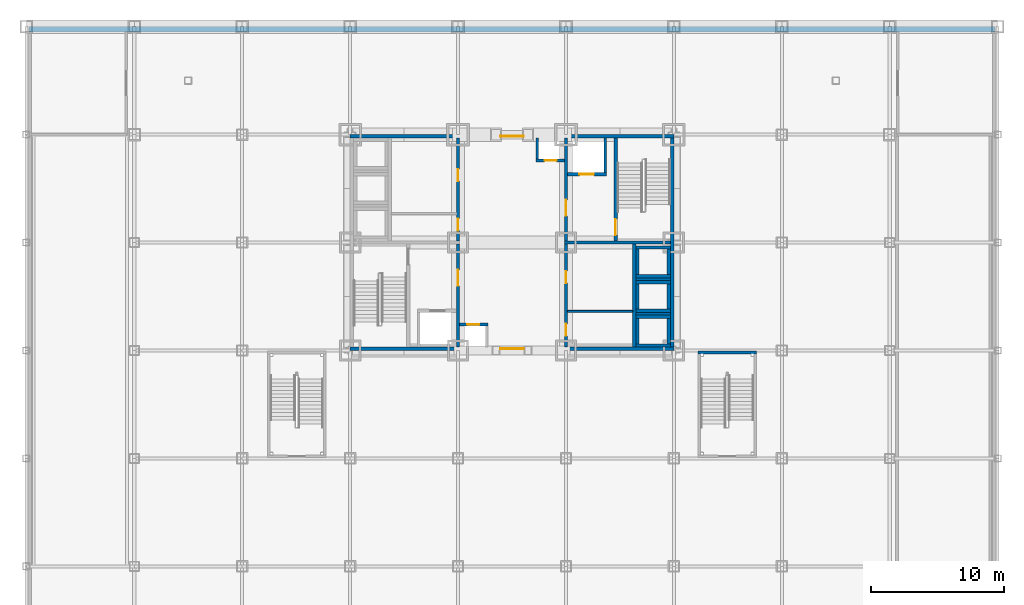
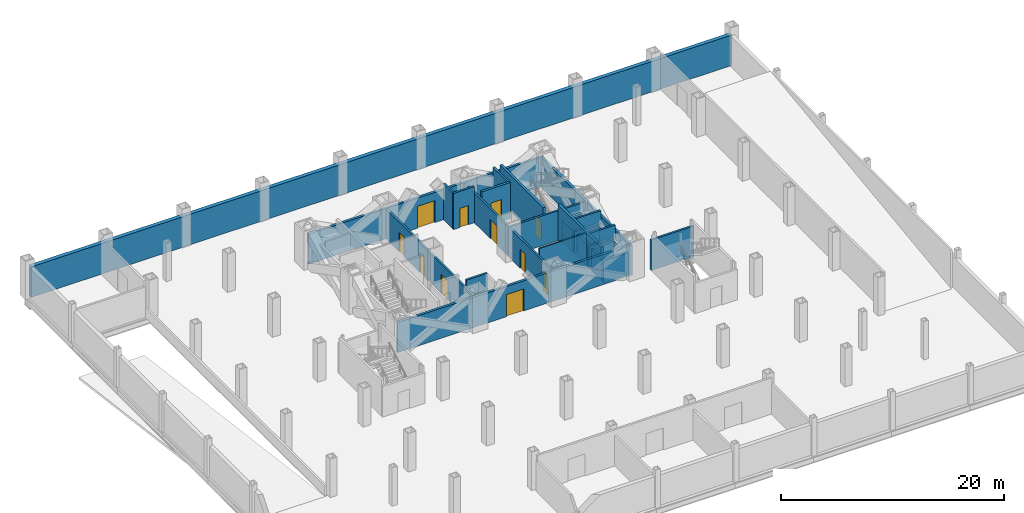
# One storey, part 12 of 14: 32 walls, 12 doors, 12 openings.
"""IFC4 building model written with IfcOpenShell, lengths in metres."""

from ifc_helpers import new_model, si_unit, direction, frame, frame_2d, origin, place, context, subcontext, project, spatial, rectangle, extrude, material, layer, layer_set, type_object, element, fill, save


model = new_model("IFC4")

# Units and contexts
model_context = context("Model", 3, precision=1e-05, world=origin(), true_north=direction((0.0, 1.0)))
body_context = subcontext(model_context, "Body", "Model", "MODEL_VIEW")
ifc_project = project(units=[si_unit("LENGTHUNIT", "METRE"), si_unit("AREAUNIT", "SQUARE_METRE"), si_unit("VOLUMEUNIT", "CUBIC_METRE"), si_unit("PLANEANGLEUNIT", "RADIAN"), si_unit("MASSUNIT", "GRAM", prefix="KILO")], contexts=[model_context])

# Site, building, storey
site_placement = place(None, origin())
site = spatial("IfcSite", under=ifc_project, at=site_placement, CompositionType="ELEMENT")
building_placement = place(site_placement, origin())
building = spatial("IfcBuilding", under=site, at=building_placement, Name="Kopane Lantern Tower", CompositionType="ELEMENT")
storey_placement = place(building_placement, frame((0.0, 0.0, -4.199951171875)))
storey = spatial("IfcBuildingStorey", under=building, at=storey_placement, Name="L-01", CompositionType="ELEMENT", Elevation=-4.199951171875)

# Walls
ifc_material_1 = material(Name="Concrete C40/50", Category="concrete")
ifc_layer_1 = layer(ifc_material_1, 0.39990234375)
ifc_layer_set_1 = layer_set([ifc_layer_1], Name="BASEMENT RETAINING WALL 400")
wall_type_1 = type_object("IfcWallType", Name="BASEMENT RETAINING WALL 400", PredefinedType="SOLIDWALL", material=ifc_layer_set_1)
wall_1_placement = place(storey_placement, frame((64.60009765625, 48.39990234375, 0.0), z_axis=(0.0, 0.0, 1.0), x_axis=(-1.0, 0.0, 0.0)))
element("IfcWall", 1, at=wall_1_placement, inside=storey, type_object=wall_type_1, Name="Basement Retaining Wall 400 L-01", PredefinedType="SOLIDWALL", context=body_context, shape_type="SweptSolid", body=[
    extrude(rectangle(XDim=72.5, YDim=0.39990234375, at=frame_2d((36.25, 0.0))), origin(), (0.0, 0.0, 1.0), 3.337646484375),
])
ifc_material_2 = material(Name="Gypsum partition EI 60", Category="gypsum")
ifc_layer_2 = layer(ifc_material_2, 0.14990234375)
ifc_layer_set_2 = layer_set([ifc_layer_2], Name="CORE ROOM PARTITION 150 EI 60")
wall_type_2 = type_object("IfcWallType", Name="CORE ROOM PARTITION 150 EI 60", PredefinedType="PARTITIONING", material=ifc_layer_set_2)
wall_2_placement = place(storey_placement, frame((32.5, 27.22509765625, 0.0), z_axis=(0.0, 0.0, 1.0), x_axis=(1.0, 0.0, 0.0)))
element("IfcWall", 2, at=wall_2_placement, inside=storey, type_object=wall_type_2, Name="Core room partition L-01 E1", PredefinedType="PARTITIONING", context=body_context, shape_type="SweptSolid", body=[
    extrude(rectangle(XDim=4.89990234375, YDim=0.14990234375, at=frame_2d((2.449951171875, 0.0))), origin(), (0.0, 0.0, 1.0), 3.949951171875),
])

# Wall, openings, doors
ifc_material_3 = material(Name="Gypsum partition EI 60", Category="gypsum")
ifc_layer_3 = layer(ifc_material_3, 0.199951171875)
ifc_layer_set_3 = layer_set([ifc_layer_3], Name="CORE ROOM WALL 200 EI 60")
wall_type_3 = type_object("IfcWallType", Name="CORE ROOM WALL 200 EI 60", PredefinedType="PARTITIONING", material=ifc_layer_set_3)
wall_3_placement = place(storey_placement, frame((24.300048828125, 32.5, 0.0), z_axis=(0.0, 0.0, 1.0), x_axis=(0.0, 1.0, 0.0)))
wall_3 = element("IfcWall", 3, at=wall_3_placement, inside=storey, type_object=wall_type_3, Name="Core room wall L-01 XW", PredefinedType="PARTITIONING", context=body_context, shape_type="SweptSolid", body=[
    extrude(rectangle(XDim=7.75, YDim=0.199951171875, at=frame_2d((3.875, 0.0))), origin(), (0.0, 0.0, 1.0), 3.25),
])
opening_1_placement = place(wall_3_placement, frame((0.800048828125, 0.0, 0.0)))
opening_1 = element("IfcOpeningElement", 4, at=opening_1_placement, cuts=wall_3, Name="Opening L-01.C30", PredefinedType="OPENING", context=body_context, shape_type="SweptSolid", body=[
    extrude(rectangle(XDim=0.89990234375, YDim=2.10009765625, at=frame_2d((0.449951171875, 1.050048828125))), frame((0.0, 0.10986328125, 0.0), z_axis=(0.0, -1.0, 0.0), x_axis=(1.0, 0.0, 0.0)), (0.0, 0.0, 1.0), 0.219970703125),
])
opening_2_placement = place(wall_3_placement, frame((4.5, 0.0, 0.0)))
opening_2 = element("IfcOpeningElement", 5, at=opening_2_placement, cuts=wall_3, Name="Opening L-01.C31", PredefinedType="OPENING", context=body_context, shape_type="SweptSolid", body=[
    extrude(rectangle(XDim=0.89990234375, YDim=2.10009765625, at=frame_2d((0.449951171875, 1.050048828125))), frame((0.0, 0.10986328125, 0.0), z_axis=(0.0, -1.0, 0.0), x_axis=(1.0, 0.0, 0.0)), (0.0, 0.0, 1.0), 0.219970703125),
])
ifc_material_4 = material(Name="Steel door set", Category="steel")
door_type_1 = type_object("IfcDoorType", Name="CORE ROOM DOOR 900x2100 FD60", OperationType="SINGLE_SWING_LEFT", PredefinedType="DOOR", material=ifc_material_4)
door_1_placement = place(opening_1_placement, origin())
door_1 = element("IfcDoor", 6, at=door_1_placement, inside=storey, type_object=door_type_1, Name="Door Cleaner store L-01", OperationType="SINGLE_SWING_RIGHT", OverallHeight=2.10009765625, OverallWidth=0.89990234375, PredefinedType="DOOR", context=body_context, shape_type="SweptSolid", body=[
    extrude(rectangle(XDim=0.89990234375, YDim=2.10009765625, at=frame_2d((0.449951171875, 1.050048828125))), frame((0.0, 0.02490234375, 0.0), z_axis=(0.0, -1.0, 0.0), x_axis=(1.0, 0.0, 0.0)), (0.0, 0.0, 1.0), 0.050048828125),
])
fill(opening_1, door_1)
door_2_placement = place(opening_2_placement, origin())
door_2 = element("IfcDoor", 7, at=door_2_placement, inside=storey, type_object=door_type_1, Name="Door Basement store L-01", OperationType="SINGLE_SWING_LEFT", OverallHeight=2.10009765625, OverallWidth=0.89990234375, PredefinedType="DOOR", context=body_context, shape_type="SweptSolid", body=[
    extrude(rectangle(XDim=0.89990234375, YDim=2.10009765625, at=frame_2d((0.449951171875, 1.050048828125))), frame((0.0, 0.02490234375, 0.0), z_axis=(0.0, -1.0, 0.0), x_axis=(1.0, 0.0, 0.0)), (0.0, 0.0, 1.0), 0.050048828125),
])
fill(opening_2, door_2)

wall_4_placement = place(storey_placement, frame((32.39990234375, 24.550048828125, 0.0), z_axis=(0.0, 0.0, 1.0), x_axis=(0.0, 1.0, 0.0)))
wall_4 = element("IfcWall", 8, at=wall_4_placement, inside=storey, type_object=wall_type_3, Name="Core room wall L-01 XE", PredefinedType="PARTITIONING", context=body_context, shape_type="SweptSolid", body=[
    extrude(rectangle(XDim=7.75, YDim=0.199951171875, at=frame_2d((3.875, 0.0))), origin(), (0.0, 0.0, 1.0), 3.25),
])
opening_3_placement = place(wall_4_placement, frame((0.85009765625, 0.0, 0.0)))
opening_3 = element("IfcOpeningElement", 9, at=opening_3_placement, cuts=wall_4, Name="Opening L-01.C20", PredefinedType="OPENING", context=body_context, shape_type="SweptSolid", body=[
    extrude(rectangle(XDim=0.89990234375, YDim=2.10009765625, at=frame_2d((0.449951171875, 1.050048828125))), frame((0.0, 0.10986328125, 0.0), z_axis=(0.0, -1.0, 0.0), x_axis=(1.0, 0.0, 0.0)), (0.0, 0.0, 1.0), 0.219970703125),
])
opening_4_placement = place(wall_4_placement, frame((4.800048828125, 0.0, 0.0)))
opening_4 = element("IfcOpeningElement", 10, at=opening_4_placement, cuts=wall_4, Name="Opening L-01.C21", PredefinedType="OPENING", context=body_context, shape_type="SweptSolid", body=[
    extrude(rectangle(XDim=0.89990234375, YDim=2.10009765625, at=frame_2d((0.449951171875, 1.050048828125))), frame((0.0, 0.10986328125, 0.0), z_axis=(0.0, -1.0, 0.0), x_axis=(1.0, 0.0, 0.0)), (0.0, 0.0, 1.0), 0.219970703125),
])
door_3_placement = place(opening_3_placement, origin())
door_3 = element("IfcDoor", 11, at=door_3_placement, inside=storey, type_object=door_type_1, Name="Door Water meter room L-01", OperationType="SINGLE_SWING_LEFT", OverallHeight=2.10009765625, OverallWidth=0.89990234375, PredefinedType="DOOR", context=body_context, shape_type="SweptSolid", body=[
    extrude(rectangle(XDim=0.89990234375, YDim=2.10009765625, at=frame_2d((0.449951171875, 1.050048828125))), frame((0.0, 0.02490234375, 0.0), z_axis=(0.0, -1.0, 0.0), x_axis=(1.0, 0.0, 0.0)), (0.0, 0.0, 1.0), 0.050048828125),
])
fill(opening_3, door_3)
door_4_placement = place(opening_4_placement, origin())
door_4 = element("IfcDoor", 12, at=door_4_placement, inside=storey, type_object=door_type_1, Name="Door Security store L-01", OperationType="SINGLE_SWING_LEFT", OverallHeight=2.10009765625, OverallWidth=0.89990234375, PredefinedType="DOOR", context=body_context, shape_type="SweptSolid", body=[
    extrude(rectangle(XDim=0.89990234375, YDim=2.10009765625, at=frame_2d((0.449951171875, 1.050048828125))), frame((0.0, 0.02490234375, 0.0), z_axis=(0.0, -1.0, 0.0), x_axis=(1.0, 0.0, 0.0)), (0.0, 0.0, 1.0), 0.050048828125),
])
fill(opening_4, door_4)

# Wall, opening, door
ifc_material_5 = material(Name="Gypsum shaft wall EI 120", Category="gypsum")
ifc_layer_4 = layer(ifc_material_5, 0.25)
ifc_layer_set_4 = layer_set([ifc_layer_4], Name="CORE SHAFT WALL 250 EI 120")
wall_type_4 = type_object("IfcWallType", Name="CORE SHAFT WALL 250 EI 120", PredefinedType="SOLIDWALL", material=ifc_layer_set_4)
wall_5_placement = place(storey_placement, frame((16.199951171875, 24.425048828125, 0.0), z_axis=(0.0, 0.0, 1.0), x_axis=(1.0, 0.0, 0.0)))
wall_5 = element("IfcWall", 13, at=wall_5_placement, inside=storey, type_object=wall_type_4, Name="Core shaft wall L-01 PS", PredefinedType="SOLIDWALL", context=body_context, shape_type="SweptSolid", body=[
    extrude(rectangle(XDim=24.300048828125, YDim=0.25, at=frame_2d((12.14990234375, 0.0))), origin(), (0.0, 0.0, 1.0), 3.300048828125),
])
opening_5_placement = place(wall_5_placement, frame((11.25, 0.0, 0.0)))
opening_5 = element("IfcOpeningElement", 14, at=opening_5_placement, cuts=wall_5, Name="Opening L-01.CE-S", PredefinedType="OPENING", context=body_context, shape_type="SweptSolid", body=[
    extrude(rectangle(XDim=1.800048828125, YDim=2.39990234375, at=frame_2d((0.89990234375, 1.199951171875))), frame((0.0, 0.135009765625, 0.0), z_axis=(0.0, -1.0, 0.0), x_axis=(1.0, 0.0, 0.0)), (0.0, 0.0, 1.0), 0.27001953125),
])
ifc_material_6 = material(Name="Steel door set", Category="steel")
door_type_2 = type_object("IfcDoorType", Name="CORE ENTRY DOOR 1800x2400 FD60S", OperationType="DOUBLE_DOOR_SINGLE_SWING", PredefinedType="DOOR", material=ifc_material_6)
door_5_placement = place(opening_5_placement, origin())
door_5 = element("IfcDoor", 15, at=door_5_placement, inside=storey, type_object=door_type_2, Name="Core entry door L-01 south", OperationType="DOUBLE_DOOR_SINGLE_SWING", OverallHeight=2.39990234375, OverallWidth=1.800048828125, PredefinedType="DOOR", context=body_context, shape_type="SweptSolid", body=[
    extrude(rectangle(XDim=1.800048828125, YDim=2.39990234375, at=frame_2d((0.89990234375, 1.199951171875))), frame((0.0, 0.02490234375, 0.0), z_axis=(0.0, -1.0, 0.0), x_axis=(1.0, 0.0, 0.0)), (0.0, 0.0, 1.0), 0.050048828125),
])
fill(opening_5, door_5)

wall_6_placement = place(storey_placement, frame((16.199951171875, 40.375, 0.0), z_axis=(0.0, 0.0, 1.0), x_axis=(1.0, 0.0, 0.0)))
wall_6 = element("IfcWall", 16, at=wall_6_placement, inside=storey, type_object=wall_type_4, Name="Core shaft wall L-01 PN", PredefinedType="SOLIDWALL", context=body_context, shape_type="SweptSolid", body=[
    extrude(rectangle(XDim=24.300048828125, YDim=0.25, at=frame_2d((12.14990234375, 0.0))), origin(), (0.0, 0.0, 1.0), 3.300048828125),
])
opening_6_placement = place(wall_6_placement, frame((11.25, 0.0, 0.0)))
opening_6 = element("IfcOpeningElement", 17, at=opening_6_placement, cuts=wall_6, Name="Opening L-01.CE-N", PredefinedType="OPENING", context=body_context, shape_type="SweptSolid", body=[
    extrude(rectangle(XDim=1.800048828125, YDim=2.39990234375, at=frame_2d((0.89990234375, 1.199951171875))), frame((0.0, 0.135009765625, 0.0), z_axis=(0.0, -1.0, 0.0), x_axis=(1.0, 0.0, 0.0)), (0.0, 0.0, 1.0), 0.27001953125),
])
door_6_placement = place(opening_6_placement, origin())
door_6 = element("IfcDoor", 18, at=door_6_placement, inside=storey, type_object=door_type_2, Name="Core entry door L-01 north", OperationType="DOUBLE_DOOR_SINGLE_SWING", OverallHeight=2.39990234375, OverallWidth=1.800048828125, PredefinedType="DOOR", context=body_context, shape_type="SweptSolid", body=[
    extrude(rectangle(XDim=1.800048828125, YDim=2.39990234375, at=frame_2d((0.89990234375, 1.199951171875))), frame((0.0, 0.02490234375, 0.0), z_axis=(0.0, -1.0, 0.0), x_axis=(1.0, 0.0, 0.0)), (0.0, 0.0, 1.0), 0.050048828125),
])
fill(opening_6, door_6)

# Walls
wall_7_placement = place(storey_placement, frame((40.375, 24.550048828125, 0.0), z_axis=(0.0, 0.0, 1.0), x_axis=(0.0, 1.0, 0.0)))
element("IfcWall", 19, at=wall_7_placement, inside=storey, type_object=wall_type_4, Name="Core shaft wall L-01 PE", PredefinedType="SOLIDWALL", context=body_context, shape_type="SweptSolid", body=[
    extrude(rectangle(XDim=15.699951171875, YDim=0.25, at=frame_2d((7.85009765625, 0.0))), origin(), (0.0, 0.0, 1.0), 3.337646484375),
])
wall_8_placement = place(storey_placement, frame((37.52490234375, 24.550048828125, 0.0), z_axis=(0.0, 0.0, 1.0), x_axis=(0.0, 1.0, 0.0)))
element("IfcWall", 20, at=wall_8_placement, inside=storey, type_object=wall_type_4, Name="Core shaft wall L-01 XLR", PredefinedType="SOLIDWALL", context=body_context, shape_type="SweptSolid", body=[
    extrude(rectangle(XDim=7.75, YDim=0.25, at=frame_2d((3.875, 0.0))), origin(), (0.0, 0.0, 1.0), 3.949951171875),
])

# Wall, opening, door
wall_9_placement = place(storey_placement, frame((36.125, 32.5, 0.0), z_axis=(0.0, 0.0, 1.0), x_axis=(0.0, 1.0, 0.0)))
wall_9 = element("IfcWall", 21, at=wall_9_placement, inside=storey, type_object=wall_type_4, Name="Core shaft wall L-01 XST2", PredefinedType="SOLIDWALL", context=body_context, shape_type="SweptSolid", body=[
    extrude(rectangle(XDim=7.75, YDim=0.25, at=frame_2d((3.875, 0.0))), origin(), (0.0, 0.0, 1.0), 3.949951171875),
])
opening_7_placement = place(wall_9_placement, frame((0.449951171875, 0.0, 0.0)))
opening_7 = element("IfcOpeningElement", 22, at=opening_7_placement, cuts=wall_9, Name="Opening L-01.SD2", PredefinedType="OPENING", context=body_context, shape_type="SweptSolid", body=[
    extrude(rectangle(XDim=1.199951171875, YDim=2.10009765625, at=frame_2d((0.60009765625, 1.050048828125))), frame((0.0, 0.135009765625, 0.0), z_axis=(0.0, -1.0, 0.0), x_axis=(1.0, 0.0, 0.0)), (0.0, 0.0, 1.0), 0.27001953125),
])
ifc_material_7 = material(Name="Steel door set", Category="steel")
door_type_3 = type_object("IfcDoorType", Name="STAIR DOOR 1200x2100 FD60S", OperationType="SINGLE_SWING_LEFT", PredefinedType="DOOR", material=ifc_material_7)
door_7_placement = place(opening_7_placement, origin())
door_7 = element("IfcDoor", 23, at=door_7_placement, inside=storey, type_object=door_type_3, Name="Stair door ST2 L-01", OperationType="SINGLE_SWING_RIGHT", OverallHeight=2.10009765625, OverallWidth=1.199951171875, PredefinedType="DOOR", context=body_context, shape_type="SweptSolid", body=[
    extrude(rectangle(XDim=1.199951171875, YDim=2.10009765625, at=frame_2d((0.60009765625, 1.050048828125))), frame((0.0, 0.02490234375, 0.0), z_axis=(0.0, -1.0, 0.0), x_axis=(1.0, 0.0, 0.0)), (0.0, 0.0, 1.0), 0.050048828125),
])
fill(opening_7, door_7)

wall_10_placement = place(storey_placement, frame((32.5, 37.52490234375, 0.0), z_axis=(0.0, 0.0, 1.0), x_axis=(1.0, 0.0, 0.0)))
wall_10 = element("IfcWall", 24, at=wall_10_placement, inside=storey, type_object=wall_type_4, Name="Core shaft wall L-01 YLF2", PredefinedType="SOLIDWALL", context=body_context, shape_type="SweptSolid", body=[
    extrude(rectangle(XDim=2.949951171875, YDim=0.25, at=frame_2d((1.47509765625, 0.0))), origin(), (0.0, 0.0, 1.0), 3.949951171875),
])
opening_8_placement = place(wall_10_placement, frame((0.89990234375, 0.0, 0.0)))
opening_8 = element("IfcOpeningElement", 25, at=opening_8_placement, cuts=wall_10, Name="Opening L-01.LD-LF2", PredefinedType="OPENING", context=body_context, shape_type="SweptSolid", body=[
    extrude(rectangle(XDim=1.10009765625, YDim=2.39990234375, at=frame_2d((0.550048828125, 1.199951171875))), frame((0.0, 0.135009765625, 0.0), z_axis=(0.0, -1.0, 0.0), x_axis=(1.0, 0.0, 0.0)), (0.0, 0.0, 1.0), 0.27001953125),
])
ifc_material_8 = material(Name="Steel door set", Category="steel")
door_type_4 = type_object("IfcDoorType", Name="LIFT LANDING DOOR 1100x2400 FD60", OperationType="DOUBLE_DOOR_SLIDING", PredefinedType="DOOR", material=ifc_material_8)
door_8_placement = place(opening_8_placement, origin())
door_8 = element("IfcDoor", 26, at=door_8_placement, inside=storey, type_object=door_type_4, Name="Landing door LF2 L-01", OperationType="DOUBLE_DOOR_SLIDING", OverallHeight=2.39990234375, OverallWidth=1.10009765625, PredefinedType="DOOR", context=body_context, shape_type="SweptSolid", body=[
    extrude(rectangle(XDim=1.10009765625, YDim=2.39990234375, at=frame_2d((0.550048828125, 1.199951171875))), frame((0.0, 0.02490234375, 0.0), z_axis=(0.0, -1.0, 0.0), x_axis=(1.0, 0.0, 0.0)), (0.0, 0.0, 1.0), 0.050048828125),
])
fill(opening_8, door_8)

# Walls
ifc_material_9 = material(Name="Concrete C40/50", Category="concrete")
ifc_layer_5 = layer(ifc_material_9, 0.25)
ifc_layer_set_5 = layer_set([ifc_layer_5], Name="LIFT PIT WALL 250")
wall_type_5 = type_object("IfcWallType", Name="LIFT PIT WALL 250", PredefinedType="SOLIDWALL", material=ifc_layer_set_5)
for number, where, z_axis, x_axis, name in (
    (27, (37.64990234375, 24.675048828125, 0.0), (0.0, 0.0, 1.0), (1.0, 0.0, 0.0), "Lift pit wall LR1 S"),
    (28, (37.64990234375, 26.824951171875, 0.0), (0.0, 0.0, 1.0), (1.0, 0.0, 0.0), "Lift pit wall LR1 N"),
):
    element("IfcWall", number, at=place(storey_placement, frame(where, z_axis=z_axis, x_axis=x_axis)), inside=storey, type_object=wall_type_5, Name=name, PredefinedType="SOLIDWALL", context=body_context, shape_type="SweptSolid", body=[
        extrude(rectangle(XDim=2.60009765625, YDim=0.25, at=frame_2d((1.300048828125, 0.0))), origin(), (0.0, 0.0, 1.0), 2.39990234375),
    ])
for number, where, z_axis, x_axis, name in (
    (29, (37.77490234375, 24.800048828125, 0.0), (0.0, 0.0, 1.0), (0.0, 1.0, 0.0), "Lift pit wall LR1 W"),
    (30, (40.125, 24.800048828125, 0.0), (0.0, 0.0, 1.0), (0.0, 1.0, 0.0), "Lift pit wall LR1 E"),
):
    element("IfcWall", number, at=place(storey_placement, frame(where, z_axis=z_axis, x_axis=x_axis)), inside=storey, type_object=wall_type_5, Name=name, PredefinedType="SOLIDWALL", context=body_context, shape_type="SweptSolid", body=[
        extrude(rectangle(XDim=1.89990234375, YDim=0.25, at=frame_2d((0.949951171875, 0.0))), origin(), (0.0, 0.0, 1.0), 2.39990234375),
    ])
for number, where, z_axis, x_axis, name in (
    (31, (37.64990234375, 27.27490234375, 0.0), (0.0, 0.0, 1.0), (1.0, 0.0, 0.0), "Lift pit wall LR2 S"),
    (32, (37.64990234375, 29.425048828125, 0.0), (0.0, 0.0, 1.0), (1.0, 0.0, 0.0), "Lift pit wall LR2 N"),
):
    element("IfcWall", number, at=place(storey_placement, frame(where, z_axis=z_axis, x_axis=x_axis)), inside=storey, type_object=wall_type_5, Name=name, PredefinedType="SOLIDWALL", context=body_context, shape_type="SweptSolid", body=[
        extrude(rectangle(XDim=2.60009765625, YDim=0.25, at=frame_2d((1.300048828125, 0.0))), origin(), (0.0, 0.0, 1.0), 2.39990234375),
    ])
for number, where, z_axis, x_axis, name in (
    (33, (37.77490234375, 27.39990234375, 0.0), (0.0, 0.0, 1.0), (0.0, 1.0, 0.0), "Lift pit wall LR2 W"),
    (34, (40.125, 27.39990234375, 0.0), (0.0, 0.0, 1.0), (0.0, 1.0, 0.0), "Lift pit wall LR2 E"),
):
    element("IfcWall", number, at=place(storey_placement, frame(where, z_axis=z_axis, x_axis=x_axis)), inside=storey, type_object=wall_type_5, Name=name, PredefinedType="SOLIDWALL", context=body_context, shape_type="SweptSolid", body=[
        extrude(rectangle(XDim=1.900146484375, YDim=0.25, at=frame_2d((0.9501953125, 0.0))), origin(), (0.0, 0.0, 1.0), 2.39990234375),
    ])
for number, where, z_axis, x_axis, name in (
    (35, (37.64990234375, 29.875, 0.0), (0.0, 0.0, 1.0), (1.0, 0.0, 0.0), "Lift pit wall LR3 S"),
    (36, (37.64990234375, 32.02490234375, 0.0), (0.0, 0.0, 1.0), (1.0, 0.0, 0.0), "Lift pit wall LR3 N"),
):
    element("IfcWall", number, at=place(storey_placement, frame(where, z_axis=z_axis, x_axis=x_axis)), inside=storey, type_object=wall_type_5, Name=name, PredefinedType="SOLIDWALL", context=body_context, shape_type="SweptSolid", body=[
        extrude(rectangle(XDim=2.60009765625, YDim=0.25, at=frame_2d((1.300048828125, 0.0))), origin(), (0.0, 0.0, 1.0), 2.39990234375),
    ])
for number, where, z_axis, x_axis, name in (
    (37, (37.77490234375, 30.0, 0.0), (0.0, 0.0, 1.0), (0.0, 1.0, 0.0), "Lift pit wall LR3 W"),
    (38, (40.125, 30.0, 0.0), (0.0, 0.0, 1.0), (0.0, 1.0, 0.0), "Lift pit wall LR3 E"),
):
    element("IfcWall", number, at=place(storey_placement, frame(where, z_axis=z_axis, x_axis=x_axis)), inside=storey, type_object=wall_type_5, Name=name, PredefinedType="SOLIDWALL", context=body_context, shape_type="SweptSolid", body=[
        extrude(rectangle(XDim=1.89990234375, YDim=0.25, at=frame_2d((0.949951171875, 0.0))), origin(), (0.0, 0.0, 1.0), 2.39990234375),
    ])

# Wall, opening, door
ifc_material_10 = material(Name="Gypsum shaft wall EI 120", Category="gypsum")
ifc_layer_6 = layer(ifc_material_10, 0.199951171875)
ifc_layer_set_6 = layer_set([ifc_layer_6], Name="SHAFT WALL 200 EI 120")
wall_type_6 = type_object("IfcWallType", Name="SHAFT WALL 200 EI 120", PredefinedType="SOLIDWALL", material=ifc_layer_set_6)
wall_11_placement = place(storey_placement, frame((24.300048828125, 24.550048828125, 0.0), z_axis=(0.0, 0.0, 1.0), x_axis=(0.0, 1.0, 0.0)))
wall_11 = element("IfcWall", 39, at=wall_11_placement, inside=storey, type_object=wall_type_6, Name="Core shaft wall L-01 X243", PredefinedType="SOLIDWALL", context=body_context, shape_type="SweptSolid", body=[
    extrude(rectangle(XDim=7.75, YDim=0.199951171875, at=frame_2d((3.875, 0.0))), origin(), (0.0, 0.0, 1.0), 3.25),
])
opening_9_placement = place(wall_11_placement, frame((4.60009765625, 0.0, 0.0)))
opening_9 = element("IfcOpeningElement", 40, at=opening_9_placement, cuts=wall_11, Name="Opening L-01.FL1", PredefinedType="OPENING", context=body_context, shape_type="SweptSolid", body=[
    extrude(rectangle(XDim=1.199951171875, YDim=2.10009765625, at=frame_2d((0.60009765625, 1.050048828125))), frame((0.0, 0.10986328125, 0.0), z_axis=(0.0, -1.0, 0.0), x_axis=(1.0, 0.0, 0.0)), (0.0, 0.0, 1.0), 0.219970703125),
])
ifc_material_11 = material(Name="Steel door set", Category="steel")
door_type_5 = type_object("IfcDoorType", Name="FIREFIGHTING LOBBY DOOR 1200x2100 FD60S", OperationType="SINGLE_SWING_RIGHT", PredefinedType="DOOR", material=ifc_material_11)
door_9_placement = place(opening_9_placement, origin())
door_9 = element("IfcDoor", 41, at=door_9_placement, inside=storey, type_object=door_type_5, Name="Firefighting lobby door FL1 L-01", OperationType="SINGLE_SWING_LEFT", OverallHeight=2.10009765625, OverallWidth=1.199951171875, PredefinedType="DOOR", context=body_context, shape_type="SweptSolid", body=[
    extrude(rectangle(XDim=1.199951171875, YDim=2.10009765625, at=frame_2d((0.60009765625, 1.050048828125))), frame((0.0, 0.02490234375, 0.0), z_axis=(0.0, -1.0, 0.0), x_axis=(1.0, 0.0, 0.0)), (0.0, 0.0, 1.0), 0.050048828125),
])
fill(opening_9, door_9)

wall_12_placement = place(storey_placement, frame((24.39990234375, 26.25, 0.0), z_axis=(0.0, 0.0, 1.0), x_axis=(1.0, 0.0, 0.0)))
wall_12 = element("IfcWall", 42, at=wall_12_placement, inside=storey, type_object=wall_type_6, Name="Core shaft wall L-01 YRS1", PredefinedType="SOLIDWALL", context=body_context, shape_type="SweptSolid", body=[
    extrude(rectangle(XDim=2.150146484375, YDim=0.199951171875, at=frame_2d((1.0751953125, 0.0))), origin(), (0.0, 0.0, 1.0), 3.949951171875),
])
opening_10_placement = place(wall_12_placement, frame((0.60009765625, 0.0, 0.0)))
opening_10 = element("IfcOpeningElement", 43, at=opening_10_placement, cuts=wall_12, Name="Opening L-01.RS1", PredefinedType="OPENING", context=body_context, shape_type="SweptSolid", body=[
    extrude(rectangle(XDim=0.89990234375, YDim=2.10009765625, at=frame_2d((0.449951171875, 1.050048828125))), frame((0.0, 0.10986328125, 0.0), z_axis=(0.0, -1.0, 0.0), x_axis=(1.0, 0.0, 0.0)), (0.0, 0.0, 1.0), 0.219970703125),
])
ifc_material_12 = material(Name="Steel door set", Category="steel")
door_type_6 = type_object("IfcDoorType", Name="RISER ACCESS DOOR 900x2100 FD60", OperationType="SINGLE_SWING_LEFT", PredefinedType="DOOR", material=ifc_material_12)
door_10_placement = place(opening_10_placement, origin())
door_10 = element("IfcDoor", 44, at=door_10_placement, inside=storey, type_object=door_type_6, Name="Riser access door RS1 L-01", OperationType="SINGLE_SWING_LEFT", OverallHeight=2.10009765625, OverallWidth=0.89990234375, PredefinedType="DOOR", context=body_context, shape_type="SweptSolid", body=[
    extrude(rectangle(XDim=0.89990234375, YDim=2.10009765625, at=frame_2d((0.449951171875, 1.050048828125))), frame((0.0, 0.02490234375, 0.0), z_axis=(0.0, -1.0, 0.0), x_axis=(1.0, 0.0, 0.0)), (0.0, 0.0, 1.0), 0.050048828125),
])
fill(opening_10, door_10)

# Wall
wall_13_placement = place(storey_placement, frame((32.300048828125, 32.39990234375, 0.0), z_axis=(0.0, 0.0, 1.0), x_axis=(1.0, 0.0, 0.0)))
element("IfcWall", 45, at=wall_13_placement, inside=storey, type_object=wall_type_6, Name="Core shaft wall L-01 Y324E", PredefinedType="SOLIDWALL", context=body_context, shape_type="SweptSolid", body=[
    extrude(rectangle(XDim=7.949951171875, YDim=0.199951171875, at=frame_2d((3.97509765625, 0.0))), origin(), (0.0, 0.0, 1.0), 3.25),
])

# Wall, opening, door
wall_14_placement = place(storey_placement, frame((32.39990234375, 32.5, 0.0), z_axis=(0.0, 0.0, 1.0), x_axis=(0.0, 1.0, 0.0)))
wall_14 = element("IfcWall", 46, at=wall_14_placement, inside=storey, type_object=wall_type_6, Name="Core shaft wall L-01 X324", PredefinedType="SOLIDWALL", context=body_context, shape_type="SweptSolid", body=[
    extrude(rectangle(XDim=7.75, YDim=0.199951171875, at=frame_2d((3.875, 0.0))), origin(), (0.0, 0.0, 1.0), 3.25),
])
opening_11_placement = place(wall_14_placement, frame((1.89990234375, 0.0, 0.0)))
opening_11 = element("IfcOpeningElement", 47, at=opening_11_placement, cuts=wall_14, Name="Opening L-01.FL2", PredefinedType="OPENING", context=body_context, shape_type="SweptSolid", body=[
    extrude(rectangle(XDim=1.199951171875, YDim=2.10009765625, at=frame_2d((0.60009765625, 1.050048828125))), frame((0.0, 0.10986328125, 0.0), z_axis=(0.0, -1.0, 0.0), x_axis=(1.0, 0.0, 0.0)), (0.0, 0.0, 1.0), 0.219970703125),
])
door_11_placement = place(opening_11_placement, origin())
door_11 = element("IfcDoor", 48, at=door_11_placement, inside=storey, type_object=door_type_5, Name="Firefighting lobby door FL2 L-01", OperationType="SINGLE_SWING_LEFT", OverallHeight=2.10009765625, OverallWidth=1.199951171875, PredefinedType="DOOR", context=body_context, shape_type="SweptSolid", body=[
    extrude(rectangle(XDim=1.199951171875, YDim=2.10009765625, at=frame_2d((0.60009765625, 1.050048828125))), frame((0.0, 0.02490234375, 0.0), z_axis=(0.0, -1.0, 0.0), x_axis=(1.0, 0.0, 0.0)), (0.0, 0.0, 1.0), 0.050048828125),
])
fill(opening_11, door_11)

# Walls
for number, where, z_axis, x_axis, name in (
    (49, (37.64990234375, 27.050048828125, 0.0), (0.0, 0.0, 1.0), (1.0, 0.0, 0.0), "Core shaft wall L-01 YLR12"),
    (50, (37.64990234375, 29.64990234375, 0.0), (0.0, 0.0, 1.0), (1.0, 0.0, 0.0), "Core shaft wall L-01 YLR23"),
    (51, (35.35009765625, 37.64990234375, 0.0), (0.0, 0.0, 1.0), (0.0, 1.0, 0.0), "Core shaft wall L-01 XLF2"),
):
    element("IfcWall", number, at=place(storey_placement, frame(where, z_axis=z_axis, x_axis=x_axis)), inside=storey, type_object=wall_type_6, Name=name, PredefinedType="SOLIDWALL", context=body_context, shape_type="SweptSolid", body=[
        extrude(rectangle(XDim=2.60009765625, YDim=0.199951171875, at=frame_2d((1.300048828125, 0.0))), origin(), (0.0, 0.0, 1.0), 3.949951171875),
    ])
wall_15_placement = place(storey_placement, frame((30.25, 38.64990234375, 0.0), z_axis=(0.0, 0.0, 1.0), x_axis=(0.0, 1.0, 0.0)))
element("IfcWall", 52, at=wall_15_placement, inside=storey, type_object=wall_type_6, Name="Core shaft wall L-01 XRS2", PredefinedType="SOLIDWALL", context=body_context, shape_type="SweptSolid", body=[
    extrude(rectangle(XDim=1.60009765625, YDim=0.199951171875, at=frame_2d((0.800048828125, 0.0))), origin(), (0.0, 0.0, 1.0), 3.949951171875),
])

# Wall, opening, door
wall_16_placement = place(storey_placement, frame((30.14990234375, 38.550048828125, 0.0), z_axis=(0.0, 0.0, 1.0), x_axis=(1.0, 0.0, 0.0)))
wall_16 = element("IfcWall", 53, at=wall_16_placement, inside=storey, type_object=wall_type_6, Name="Core shaft wall L-01 YRS2", PredefinedType="SOLIDWALL", context=body_context, shape_type="SweptSolid", body=[
    extrude(rectangle(XDim=2.150146484375, YDim=0.199951171875, at=frame_2d((1.0751953125, 0.0))), origin(), (0.0, 0.0, 1.0), 3.949951171875),
])
opening_12_placement = place(wall_16_placement, frame((0.64990234375, 0.0, 0.0)))
opening_12 = element("IfcOpeningElement", 54, at=opening_12_placement, cuts=wall_16, Name="Opening L-01.RS2", PredefinedType="OPENING", context=body_context, shape_type="SweptSolid", body=[
    extrude(rectangle(XDim=0.89990234375, YDim=2.10009765625, at=frame_2d((0.449951171875, 1.050048828125))), frame((0.0, 0.10986328125, 0.0), z_axis=(0.0, -1.0, 0.0), x_axis=(1.0, 0.0, 0.0)), (0.0, 0.0, 1.0), 0.219970703125),
])
door_12_placement = place(opening_12_placement, origin())
door_12 = element("IfcDoor", 55, at=door_12_placement, inside=storey, type_object=door_type_6, Name="Riser access door RS2 L-01", OperationType="SINGLE_SWING_LEFT", OverallHeight=2.10009765625, OverallWidth=0.89990234375, PredefinedType="DOOR", context=body_context, shape_type="SweptSolid", body=[
    extrude(rectangle(XDim=0.89990234375, YDim=2.10009765625, at=frame_2d((0.449951171875, 1.050048828125))), frame((0.0, 0.02490234375, 0.0), z_axis=(0.0, -1.0, 0.0), x_axis=(1.0, 0.0, 0.0)), (0.0, 0.0, 1.0), 0.050048828125),
])
fill(opening_12, door_12)

# Wall
wall_17_placement = place(storey_placement, frame((42.300048828125, 24.14990234375, 0.0), z_axis=(0.0, 0.0, 1.0), x_axis=(1.0, 0.0, 0.0)))
element("IfcWall", 56, at=wall_17_placement, inside=storey, type_object=wall_type_6, Name="Stair enclosure wall ST4 L-01", PredefinedType="SOLIDWALL", context=body_context, shape_type="SweptSolid", body=[
    extrude(rectangle(XDim=4.39990234375, YDim=0.199951171875, at=frame_2d((2.199951171875, 0.0))), origin(), (0.0, 0.0, 1.0), 3.337646484375),
])

save(model, "model.ifc")
